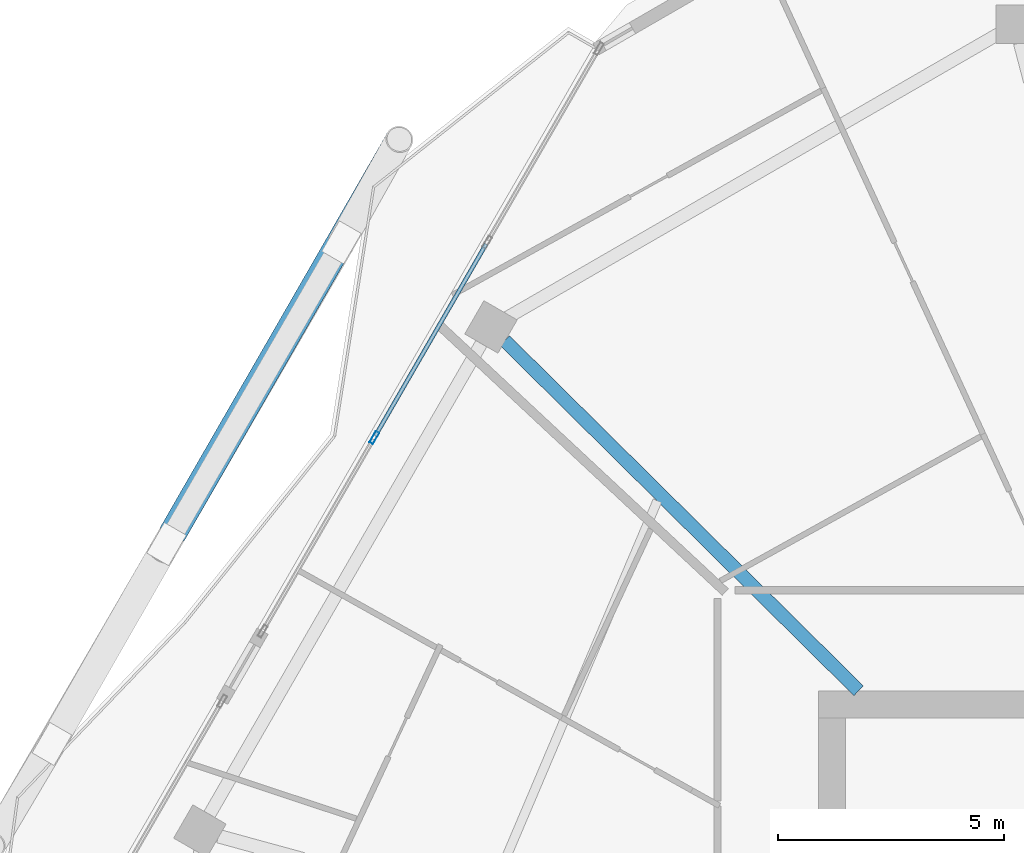
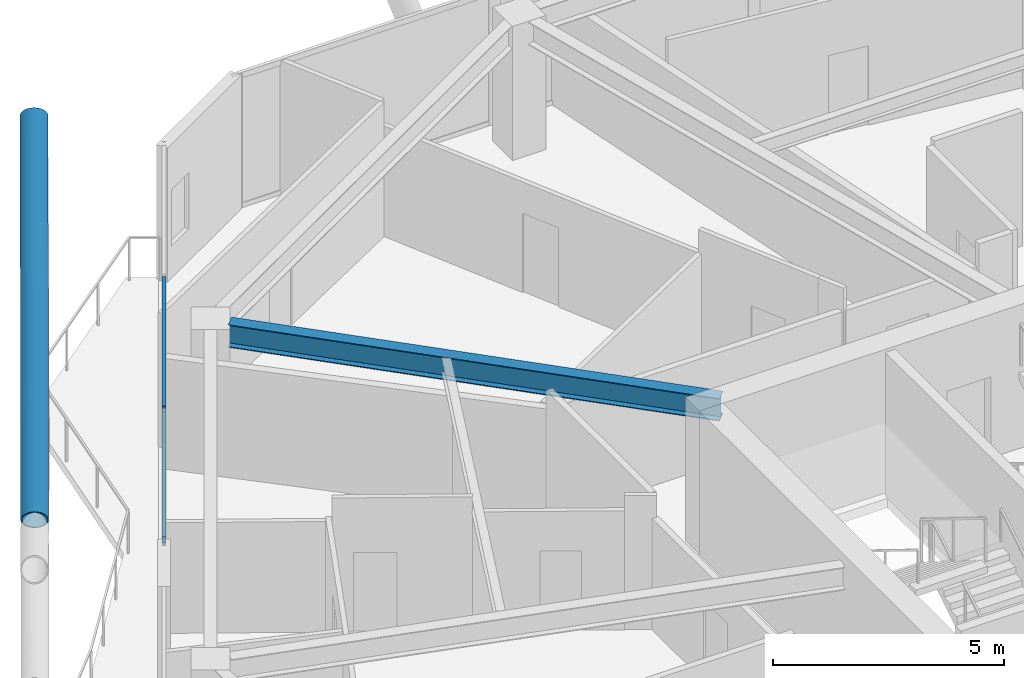
# One storey, part 13 of 29: 4 members, 1 beam, 1 element without a shape of its own.
"""IFC4 building model written with IfcOpenShell, lengths in metres."""

from ifc_helpers import new_model, si_unit, direction, frame, origin, origin_2d, place, context, subcontext, project, spatial, hollow_rectangle, hollow_circle, i_section, extrude, material, material_profile, profile_set, type_object, element, aggregate, save


model = new_model("IFC4")

# Units and contexts
model_context = context("Model", 3, precision=1e-05, world=origin(), true_north=direction((0.0, 1.0)))
body_context = subcontext(model_context, "Body", "Model", "MODEL_VIEW")
ifc_project = project(units=[si_unit("LENGTHUNIT", "METRE"), si_unit("AREAUNIT", "SQUARE_METRE"), si_unit("VOLUMEUNIT", "CUBIC_METRE"), si_unit("PLANEANGLEUNIT", "RADIAN"), si_unit("MASSUNIT", "GRAM", prefix="KILO")], contexts=[model_context])

# Site, building, storey
site_placement = place(None, origin())
site = spatial("IfcSite", under=ifc_project, at=site_placement, CompositionType="ELEMENT")
building_placement = place(site_placement, origin())
building = spatial("IfcBuilding", under=site, at=building_placement, Name="Zuhravey Tower", CompositionType="ELEMENT")
storey_placement = place(building_placement, frame((0.0, 0.0, 269.199951171875)))
storey = spatial("IfcBuildingStorey", under=building, at=storey_placement, Name="L68", CompositionType="ELEMENT", Elevation=269.199951171875)

# Curtain wall, members
ifc_material_1 = material(Name="Thermally broken anodised aluminium", Category="aluminium")
curtain_wall_type = type_object("IfcCurtainWallType", Name="Zone 3-4 High-Rise Curtain Wall CW4", PredefinedType="NOTDEFINED", material=ifc_material_1)
curtain_wall_placement = place(storey_placement, origin())
curtain_wall = element("IfcCurtainWall", 1, at=curtain_wall_placement, inside=storey, type_object=curtain_wall_type, Name="L68 CW4 CW-L68-F3-2", PredefinedType="NOTDEFINED")
ifc_material_2 = material(Name="Anodised aluminium", Category="aluminium")
ifc_material_profile_1 = material_profile(ifc_material_2, hollow_rectangle(XDim=0.090087890625, YDim=0.284912109375, WallThickness=0.0048828125, at=origin_2d()), Name="ALU-RHS-90x285x5")
ifc_profile_set_1 = profile_set([ifc_material_profile_1], Name="Anodised aluminium")
member_type_1 = type_object("IfcMemberType", Name="Curtain-Wall Mullion 90x180", PredefinedType="MULLION", material=ifc_profile_set_1)
member_1_placement = place(storey_placement, frame((15.376220703125, 47.406005859375, 0.0), z_axis=(0.0, 0.0, 1.0), x_axis=(-0.866025550855, 0.499999745267, 0.0)))
member_1 = element("IfcMember", 2, at=member_1_placement, type_object=member_type_1, Name="CW4 mullion 2", PredefinedType="MULLION", context=body_context, shape_type="SweptSolid", body=[
    extrude(hollow_rectangle(XDim=0.090087890625, YDim=0.284912109375, WallThickness=0.0048828125, at=origin_2d()), origin(), (0.0, 0.0, 1.0), 3.550048828125),
])
ifc_material_profile_2 = material_profile(ifc_material_2, hollow_rectangle(XDim=0.090087890625, YDim=0.14990234375, WallThickness=0.0048828125, at=origin_2d()), Name="ALU-RHS-90x150x5")
ifc_profile_set_2 = profile_set([ifc_material_profile_2], Name="Anodised aluminium")
member_type_2 = type_object("IfcMemberType", Name="Curtain-Wall Transom 90x150", PredefinedType="USERDEFINED", material=ifc_profile_set_2)
member_2_placement = place(storey_placement, frame((15.39892578125, 47.44482421875, 0.045166015625), z_axis=(0.499969671997, 0.866042912957, 0.0), x_axis=(-0.866042912957, 0.499969671997, 0.0)))
member_2 = element("IfcMember", 3, at=member_2_placement, type_object=member_type_2, Name="CW4 transom 2.1", ObjectType="TRANSOM", PredefinedType="USERDEFINED", context=body_context, shape_type="SweptSolid", body=[
    extrude(hollow_rectangle(XDim=0.090087890625, YDim=0.14990234375, WallThickness=0.0048828125, at=origin_2d()), origin(), (0.0, 0.0, 1.0), 4.901123046875),
])
member_3_placement = place(storey_placement, frame((15.39892578125, 47.44482421875, 3.505126953125), z_axis=(0.499969671997, 0.866042912957, 0.0), x_axis=(-0.866042912957, 0.499969671997, 0.0)))
member_3 = element("IfcMember", 4, at=member_3_placement, type_object=member_type_2, Name="CW4 transom 2.2", ObjectType="TRANSOM", PredefinedType="USERDEFINED", context=body_context, shape_type="SweptSolid", body=[
    extrude(hollow_rectangle(XDim=0.090087890625, YDim=0.14990234375, WallThickness=0.0048828125, at=origin_2d()), origin(), (0.0, 0.0, 1.0), 4.901123046875),
])
aggregate(curtain_wall, [member_1, member_2, member_3])

# Member
ifc_material_3 = material(Name="Steel SM355", Category="steel")
ifc_material_profile_3 = material_profile(ifc_material_3, hollow_circle(Radius=0.3046875, WallThickness=0.028076171875, at=origin_2d()), Name="CHS-609.6x28")
ifc_profile_set_3 = profile_set([ifc_material_profile_3], Name="Steel SM355")
member_type_3 = type_object("IfcMemberType", Name="Exoskeleton Zone 3 Diagrid CHS610x28", PredefinedType="BRACE", material=ifc_profile_set_3)
member_4_placement = place(storey_placement, frame((10.914794921875, 45.289306640625, 3.437744140625), z_axis=(0.468135192369, 0.813538911139, 0.344969392453), x_axis=(-0.866744974828, 0.498751590084, 0.0)))
element("IfcMember", 5, at=member_4_placement, inside=storey, type_object=member_type_3, Name="L68 Face 3 Split Diagrid Brace 3B", PredefinedType="BRACE", context=body_context, shape_type="SweptSolid", body=[
    extrude(hollow_circle(Radius=0.3046875, WallThickness=0.028076171875, at=origin_2d()), origin(), (0.0, 0.0, 1.0), 10.68017578125),
])

# Beam
ifc_material_profile_4 = material_profile(ifc_material_3, i_section(OverallWidth=0.300048828125, OverallDepth=0.60009765625, WebThickness=0.011962890625, FlangeThickness=0.02001953125, at=origin_2d()), Name="H-600x300x12x20")
ifc_profile_set_4 = profile_set([ifc_material_profile_4], Name="Steel SM355")
beam_type = type_object("IfcBeamType", Name="Radial Primary Girder H600x300", PredefinedType="BEAM", material=ifc_profile_set_4)
beam_placement = place(storey_placement, frame((26.09326171875, 41.802978515625, 3.25), z_axis=(-0.710808169267, 0.70338591577, 0.0), x_axis=(-0.70338591577, -0.710808169267, 0.0)))
element("IfcBeam", 6, at=beam_placement, inside=storey, type_object=beam_type, Name="L68 RG3 BM-L68-RAD-05", PredefinedType="BEAM", context=body_context, shape_type="SweptSolid", body=[
    extrude(i_section(OverallWidth=0.300048828125, OverallDepth=0.60009765625, WebThickness=0.011962890625, FlangeThickness=0.02001953125, at=origin_2d()), origin(), (0.0, 0.0, 1.0), 11.019287109375),
])

save(model, "model.ifc")
